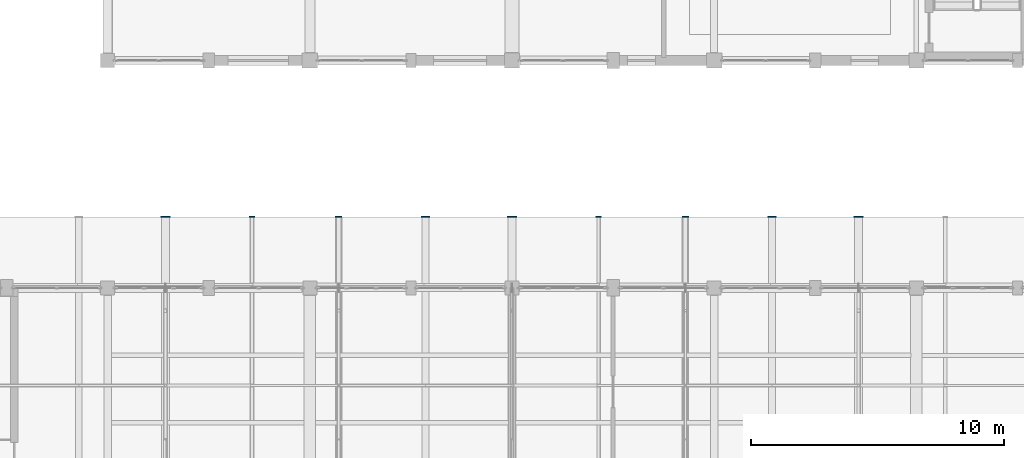
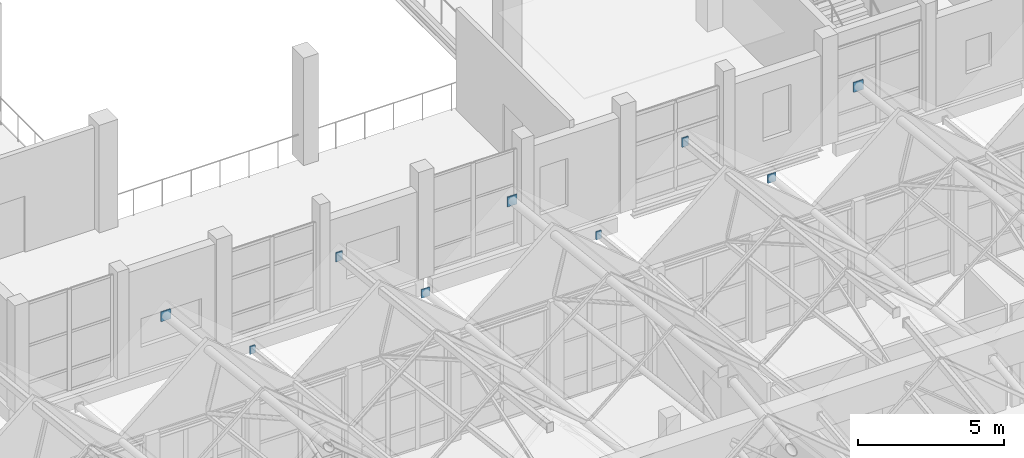
# One storey, part 163 of 183: 9 discrete accessories.
"""IFC4 building model written with IfcOpenShell, lengths in metres."""

from ifc_helpers import new_model, si_unit, direction, frame, origin, origin_2d, place, context, subcontext, project, spatial, rectangle, extrude, material, type_object, element, save


model = new_model("IFC4")

# Units and contexts
model_context = context("Model", 3, precision=1e-05, world=origin(), true_north=direction((0.0, 1.0)))
body_context = subcontext(model_context, "Body", "Model", "MODEL_VIEW")
ifc_project = project(units=[si_unit("LENGTHUNIT", "METRE"), si_unit("AREAUNIT", "SQUARE_METRE"), si_unit("VOLUMEUNIT", "CUBIC_METRE"), si_unit("PLANEANGLEUNIT", "RADIAN"), si_unit("MASSUNIT", "GRAM", prefix="KILO")], contexts=[model_context])

# Site, building, storey
site_placement = place(None, origin())
site = spatial("IfcSite", under=ifc_project, at=site_placement, CompositionType="ELEMENT")
building_placement = place(site_placement, origin())
building = spatial("IfcBuilding", under=site, at=building_placement, Name="Luwemba Playhouse", CompositionType="ELEMENT")
storey_placement = place(building_placement, frame((0.0, 0.0, 4.800048828125)))
storey = spatial("IfcBuildingStorey", under=building, at=storey_placement, Name="L01", CompositionType="ELEMENT", Elevation=4.800048828125)

# Discrete accessories
ifc_material = material(Name="Steel S355", Category="steel")
discrete_accessory_type = type_object("IfcDiscreteAccessoryType", Name="ACC-ENDCAP-S355", PredefinedType="BRACKET", material=ifc_material)
discrete_accessory_1_placement = place(storey_placement, frame((134.28564453125, 29.81494140625, 6.603515625), z_axis=(0.0, 0.0, 1.0), x_axis=(1.0, 0.0, 0.0)))
element("IfcDiscreteAccessory", 1, at=discrete_accessory_1_placement, inside=storey, type_object=discrete_accessory_type, Name="Welded RHS end cap plate 0392", PredefinedType="BRACKET", context=body_context, shape_type="SweptSolid", body=[
    extrude(rectangle(XDim=0.384033203125, YDim=0.044921875, at=origin_2d()), origin(), (0.0, 0.0, 1.0), 0.404052734375),
])
discrete_accessory_2_placement = place(storey_placement, frame((137.71435546875, 29.81494140625, 3.99951171875), z_axis=(0.0, 0.0, 1.0), x_axis=(1.0, 0.0, 0.0)))
element("IfcDiscreteAccessory", 2, at=discrete_accessory_2_placement, inside=storey, type_object=discrete_accessory_type, Name="Welded RHS end cap plate 0396", PredefinedType="BRACKET", context=body_context, shape_type="SweptSolid", body=[
    extrude(rectangle(XDim=0.2099609375, YDim=0.044921875, at=origin_2d()), origin(), (0.0, 0.0, 1.0), 0.330078125),
])
discrete_accessory_3_placement = place(storey_placement, frame((141.142822265625, 29.81494140625, 6.678955078125), z_axis=(0.0, 0.0, 1.0), x_axis=(1.0, 0.0, 0.0)))
element("IfcDiscreteAccessory", 3, at=discrete_accessory_3_placement, inside=storey, type_object=discrete_accessory_type, Name="Welded RHS end cap plate 0400", PredefinedType="BRACKET", context=body_context, shape_type="SweptSolid", body=[
    extrude(rectangle(XDim=0.260009765625, YDim=0.044921875, at=origin_2d()), origin(), (0.0, 0.0, 1.0), 0.3798828125),
])
discrete_accessory_4_placement = place(storey_placement, frame((144.5712890625, 29.81494140625, 3.9765625), z_axis=(0.0, 0.0, 1.0), x_axis=(1.0, 0.0, 0.0)))
element("IfcDiscreteAccessory", 4, at=discrete_accessory_4_placement, inside=storey, type_object=discrete_accessory_type, Name="Welded RHS end cap plate 0404", PredefinedType="BRACKET", context=body_context, shape_type="SweptSolid", body=[
    extrude(rectangle(XDim=0.3330078125, YDim=0.044921875, at=origin_2d()), origin(), (0.0, 0.0, 1.0), 0.35302734375),
])
discrete_accessory_5_placement = place(storey_placement, frame((148.0, 29.81494140625, 6.603515625), z_axis=(0.0, 0.0, 1.0), x_axis=(1.0, 0.0, 0.0)))
element("IfcDiscreteAccessory", 5, at=discrete_accessory_5_placement, inside=storey, type_object=discrete_accessory_type, Name="Welded RHS end cap plate 0408", PredefinedType="BRACKET", context=body_context, shape_type="SweptSolid", body=[
    extrude(rectangle(XDim=0.384033203125, YDim=0.044921875, at=origin_2d()), origin(), (0.0, 0.0, 1.0), 0.404052734375),
])
discrete_accessory_6_placement = place(storey_placement, frame((151.4287109375, 29.81494140625, 3.99951171875), z_axis=(0.0, 0.0, 1.0), x_axis=(1.0, 0.0, 0.0)))
element("IfcDiscreteAccessory", 6, at=discrete_accessory_6_placement, inside=storey, type_object=discrete_accessory_type, Name="Welded RHS end cap plate 0412", PredefinedType="BRACKET", context=body_context, shape_type="SweptSolid", body=[
    extrude(rectangle(XDim=0.2099609375, YDim=0.044921875, at=origin_2d()), origin(), (0.0, 0.0, 1.0), 0.330078125),
])
discrete_accessory_7_placement = place(storey_placement, frame((154.857177734375, 29.81494140625, 6.678955078125), z_axis=(0.0, 0.0, 1.0), x_axis=(1.0, 0.0, 0.0)))
element("IfcDiscreteAccessory", 7, at=discrete_accessory_7_placement, inside=storey, type_object=discrete_accessory_type, Name="Welded RHS end cap plate 0416", PredefinedType="BRACKET", context=body_context, shape_type="SweptSolid", body=[
    extrude(rectangle(XDim=0.260009765625, YDim=0.044921875, at=origin_2d()), origin(), (0.0, 0.0, 1.0), 0.3798828125),
])
discrete_accessory_8_placement = place(storey_placement, frame((158.28564453125, 29.81494140625, 3.9765625), z_axis=(0.0, 0.0, 1.0), x_axis=(1.0, 0.0, 0.0)))
element("IfcDiscreteAccessory", 8, at=discrete_accessory_8_placement, inside=storey, type_object=discrete_accessory_type, Name="Welded RHS end cap plate 0420", PredefinedType="BRACKET", context=body_context, shape_type="SweptSolid", body=[
    extrude(rectangle(XDim=0.3330078125, YDim=0.044921875, at=origin_2d()), origin(), (0.0, 0.0, 1.0), 0.35302734375),
])
discrete_accessory_9_placement = place(storey_placement, frame((161.71435546875, 29.81494140625, 6.603515625), z_axis=(0.0, 0.0, 1.0), x_axis=(1.0, 0.0, 0.0)))
element("IfcDiscreteAccessory", 9, at=discrete_accessory_9_placement, inside=storey, type_object=discrete_accessory_type, Name="Welded RHS end cap plate 0424", PredefinedType="BRACKET", context=body_context, shape_type="SweptSolid", body=[
    extrude(rectangle(XDim=0.384033203125, YDim=0.044921875, at=origin_2d()), origin(), (0.0, 0.0, 1.0), 0.404052734375),
])

save(model, "model.ifc")
